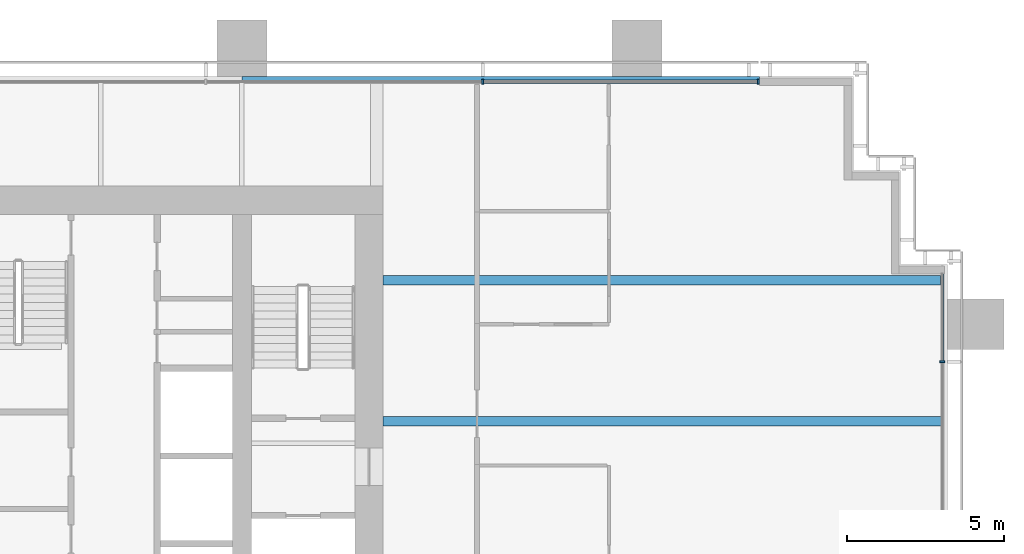
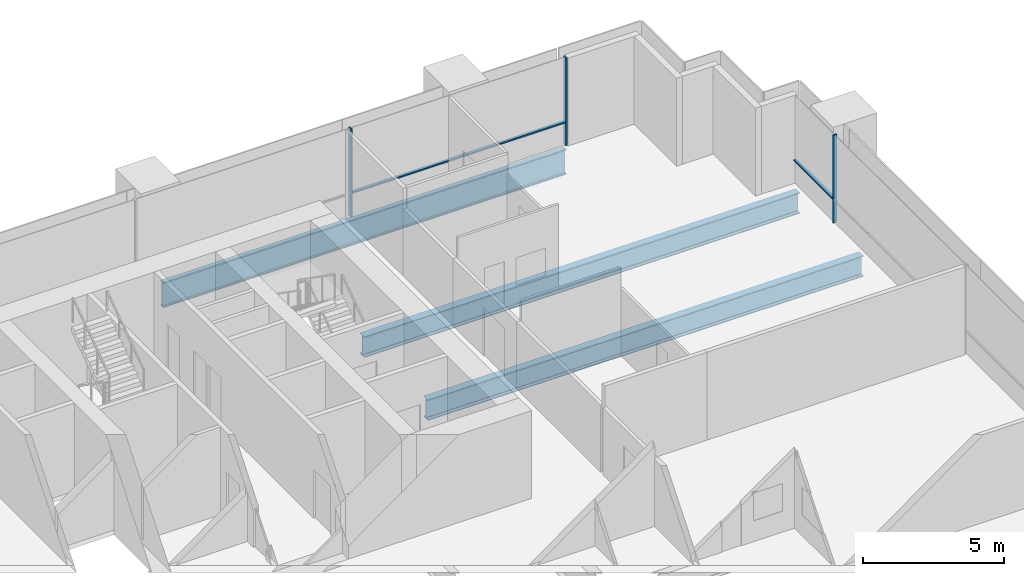
# One storey, part 10 of 19: 5 members, 3 beams, 2 elements without a shape of their own.
"""IFC4 building model written with IfcOpenShell, lengths in metres."""

from ifc_helpers import new_model, si_unit, direction, frame, origin, origin_2d, place, context, subcontext, project, spatial, rectangle, i_section, extrude, material, material_profile, profile_set, type_object, element, aggregate, save


model = new_model("IFC4")

# Units and contexts
model_context = context("Model", 3, precision=1e-05, world=origin(), true_north=direction((0.0, 1.0)))
body_context = subcontext(model_context, "Body", "Model", "MODEL_VIEW")
ifc_project = project(units=[si_unit("LENGTHUNIT", "METRE"), si_unit("AREAUNIT", "SQUARE_METRE"), si_unit("VOLUMEUNIT", "CUBIC_METRE"), si_unit("PLANEANGLEUNIT", "RADIAN"), si_unit("MASSUNIT", "GRAM", prefix="KILO")], contexts=[model_context])

# Site, building, storey
site_placement = place(None, origin())
site = spatial("IfcSite", under=ifc_project, at=site_placement, CompositionType="ELEMENT")
building_placement = place(site_placement, origin())
building = spatial("IfcBuilding", under=site, at=building_placement, Name="Rattan Terrace Tower", CompositionType="ELEMENT")
storey_placement = place(building_placement, frame((0.0, 0.0, 87.699951171875)))
storey = spatial("IfcBuildingStorey", under=building, at=storey_placement, Name="L19", CompositionType="ELEMENT", Elevation=87.699951171875)

# Curtain wall, member
ifc_material_1 = material(Name="Aluminium and glass", Category="aluminium")
curtain_wall_type = type_object("IfcCurtainWallType", Name="Facade Unitised Curtain Wall", PredefinedType="NOTDEFINED", material=ifc_material_1)
curtain_wall_1_placement = place(storey_placement, origin())
curtain_wall_1 = element("IfcCurtainWall", 1, at=curtain_wall_1_placement, inside=storey, type_object=curtain_wall_type, Name="Curtain wall L19-1", PredefinedType="NOTDEFINED")
ifc_material_2 = material(Name="Aluminium", Category="aluminium")
ifc_material_profile_1 = material_profile(ifc_material_2, rectangle(XDim=0.06005859375, YDim=0.159912109375, at=origin_2d()), Name="Aluminium 60x160")
ifc_profile_set_1 = profile_set([ifc_material_profile_1], Name="Aluminium")
member_type_1 = type_object("IfcMemberType", Name="Facade CW Mullion 60x160", PredefinedType="MULLION", material=ifc_profile_set_1)
member_1_placement = place(storey_placement, frame((35.830078125, 1.89990234375, 0.0), z_axis=(0.0, 0.0, 1.0), x_axis=(0.0, 1.0, 0.0)))
member_1 = element("IfcMember", 2, at=member_1_placement, type_object=member_type_1, Name="Mullion cwl-L19-001.4", PredefinedType="MULLION", context=body_context, shape_type="SweptSolid", body=[
    extrude(rectangle(XDim=0.06005859375, YDim=0.159912109375, at=origin_2d()), origin(), (0.0, 0.0, 1.0), 3.800048828125),
])

# Curtain wall, members
curtain_wall_2_placement = place(storey_placement, origin())
curtain_wall_2 = element("IfcCurtainWall", 3, at=curtain_wall_2_placement, inside=storey, type_object=curtain_wall_type, Name="Curtain wall L19-2", PredefinedType="NOTDEFINED")
member_2_placement = place(storey_placement, frame((29.969970703125, 10.830078125, 0.0), z_axis=(0.0, 0.0, 1.0), x_axis=(-1.0, 0.0, 0.0)))
member_2 = element("IfcMember", 4, at=member_2_placement, type_object=member_type_1, Name="Mullion cwl-L19-002.1", PredefinedType="MULLION", context=body_context, shape_type="SweptSolid", body=[
    extrude(rectangle(XDim=0.06005859375, YDim=0.159912109375, at=origin_2d()), origin(), (0.0, 0.0, 1.0), 3.800048828125),
])
member_3_placement = place(storey_placement, frame((21.177001953125, 10.830078125, 0.0), z_axis=(0.0, 0.0, 1.0), x_axis=(-1.0, 0.0, 0.0)))
member_3 = element("IfcMember", 5, at=member_3_placement, type_object=member_type_1, Name="Mullion cwl-L19-002.2", PredefinedType="MULLION", context=body_context, shape_type="SweptSolid", body=[
    extrude(rectangle(XDim=0.06005859375, YDim=0.159912109375, at=origin_2d()), origin(), (0.0, 0.0, 1.0), 3.800048828125),
])

# Member
ifc_material_3 = material(Name="Aluminium", Category="aluminium")
ifc_material_profile_2 = material_profile(ifc_material_3, rectangle(XDim=0.1201171875, YDim=0.06005859375, at=origin_2d()), Name="Aluminium 120x60")
ifc_profile_set_2 = profile_set([ifc_material_profile_2], Name="Aluminium")
member_type_2 = type_object("IfcMemberType", Name="Facade CW Transom 120x60", PredefinedType="USERDEFINED", material=ifc_profile_set_2)
member_4_placement = place(storey_placement, frame((35.830078125, 1.929931640625, 1.0), z_axis=(0.0, 1.0, 0.0), x_axis=(-1.0, 0.0, 0.0)))
member_4 = element("IfcMember", 6, at=member_4_placement, type_object=member_type_2, Name="Transom cwl-L19-001.4", ObjectType="TRANSOM", PredefinedType="USERDEFINED", context=body_context, shape_type="SweptSolid", body=[
    extrude(rectangle(XDim=0.1201171875, YDim=0.06005859375, at=origin_2d()), origin(), (0.0, 0.0, 1.0), 2.775146484375),
])

aggregate(curtain_wall_1, [member_1, member_4])

member_5_placement = place(storey_placement, frame((29.93994140625, 10.830078125, 1.0), z_axis=(-1.0, 0.0, 0.0), x_axis=(0.0, -1.0, 0.0)))
member_5 = element("IfcMember", 7, at=member_5_placement, type_object=member_type_2, Name="Transom cwl-L19-002.1", ObjectType="TRANSOM", PredefinedType="USERDEFINED", context=body_context, shape_type="SweptSolid", body=[
    extrude(rectangle(XDim=0.1201171875, YDim=0.06005859375, at=origin_2d()), origin(), (0.0, 0.0, 1.0), 8.73291015625),
])

aggregate(curtain_wall_2, [member_2, member_3, member_5])

# Beams
ifc_material_4 = material(Name="Steel S460", Category="steel")
ifc_material_profile_3 = material_profile(ifc_material_4, i_section(OverallWidth=0.179931640625, OverallDepth=1.10009765625, WebThickness=0.01611328125, FlangeThickness=0.050048828125, at=origin_2d()), Name="PG 1100x180-16-50")
ifc_profile_set_3 = profile_set([ifc_material_profile_3], Name="Steel S460")
beam_type_1 = type_object("IfcBeamType", Name="Frame edge girder PG 1100x180-16-50", PredefinedType="SPANDREL", material=ifc_profile_set_3)
beam_placement = place(storey_placement, frame((30.0, 10.909912109375, -0.75), z_axis=(-1.0, 0.0, 0.0), x_axis=(0.0, -1.0, 0.0)))
element("IfcBeam", 8, at=beam_placement, inside=storey, type_object=beam_type_1, Name="gdr-L19-008", PredefinedType="SPANDREL", context=body_context, shape_type="SweptSolid", body=[
    extrude(i_section(OverallWidth=0.179931640625, OverallDepth=1.10009765625, WebThickness=0.01611328125, FlangeThickness=0.050048828125, at=origin_2d()), origin(), (0.0, 0.0, 1.0), 16.5),
])
ifc_material_5 = material(Name="Steel S355", Category="steel")
ifc_material_profile_4 = material_profile(ifc_material_5, i_section(OverallWidth=0.300048828125, OverallDepth=0.89990234375, WebThickness=0.0185546875, FlangeThickness=0.034912109375, FilletRadius=0.030029296875, at=origin_2d()), Name="HE 900 B")
ifc_profile_set_4 = profile_set([ifc_material_profile_4], Name="Steel S355")
beam_type_2 = type_object("IfcBeamType", Name="Frame floor beam HE 900 B", PredefinedType="JOIST", material=ifc_profile_set_4)
for number, where, z_axis, x_axis, name in (
    (9, (18.0, 0.0, -0.64990234375), (1.0, 0.0, 0.0), (0.0, 1.0, 0.0), "bm-L19-015"),
    (10, (18.0, 4.5, -0.64990234375), (1.0, 0.0, 0.0), (0.0, 1.0, 0.0), "bm-L19-017"),
):
    element("IfcBeam", number, at=place(storey_placement, frame(where, z_axis=z_axis, x_axis=x_axis)), inside=storey, type_object=beam_type_2, Name=name, PredefinedType="JOIST", context=body_context, shape_type="SweptSolid", body=[
        extrude(i_section(OverallWidth=0.300048828125, OverallDepth=0.89990234375, WebThickness=0.0185546875, FlangeThickness=0.034912109375, FilletRadius=0.030029296875, at=origin_2d()), origin(), (0.0, 0.0, 1.0), 17.820068359375),
    ])

save(model, "model.ifc")
